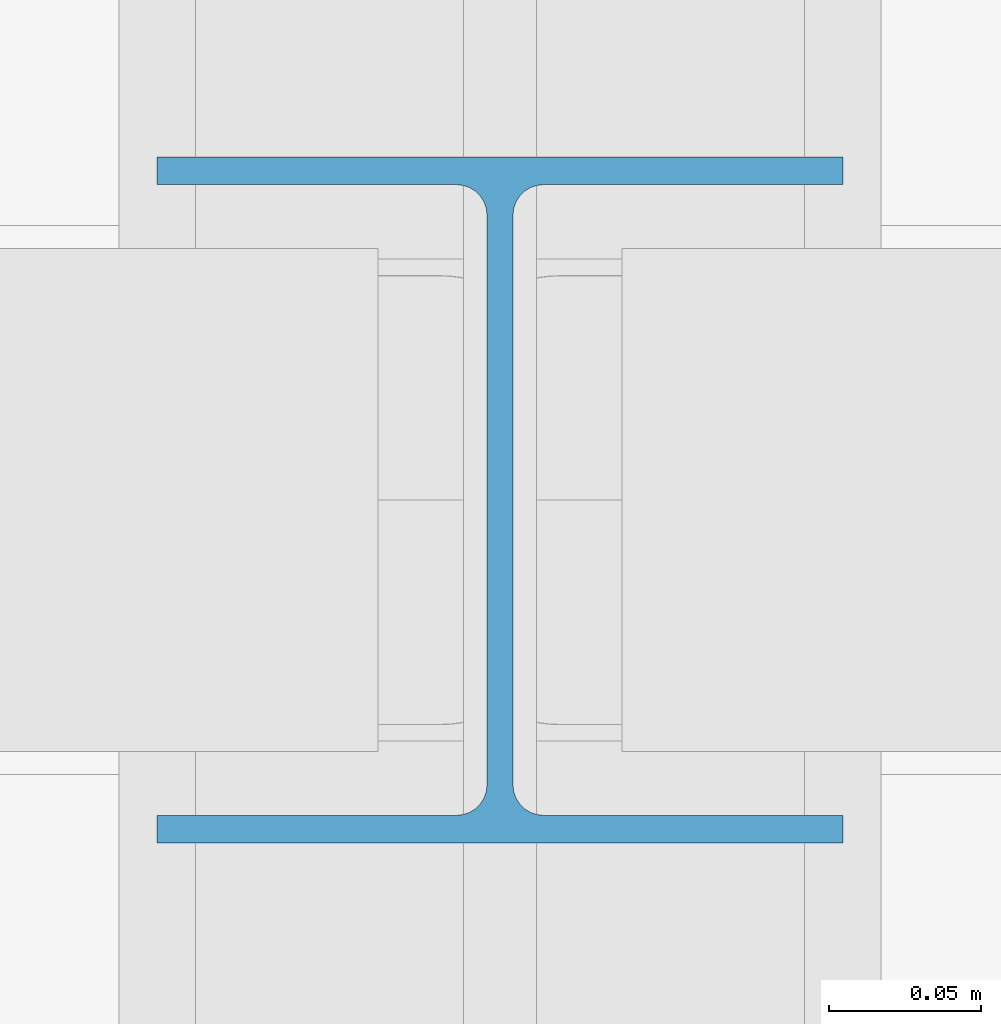
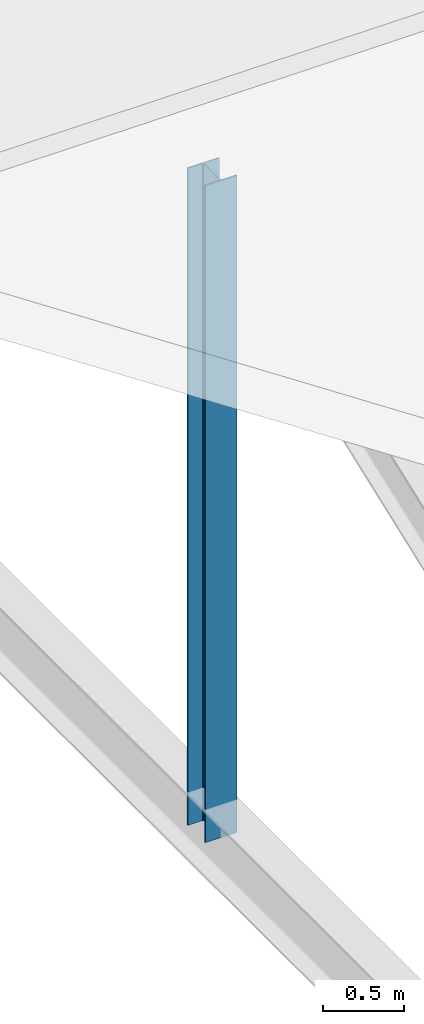
# One storey, part 34 of 163: 1 member.
"""IFC4 building model written with IfcOpenShell, lengths in metres."""

import ifcopenshell
import ifcopenshell.guid

model = None  # the IFC model being written
_history = None  # IfcOwnerHistory: only IFC2X3 demands one
_inside = {}  # id of a spatial element -> (the spatial element, [elements in it])
_under = {}  # id of a project, library or spatial element -> (it, [spatial elements below it])
_declared = {}  # id of a project -> (the project, [libraries it declares])
_typed = {}  # id of a type object -> (the type object, [elements of that type])
_made_of = {}  # id of a material, layer set ... -> (it, [elements and type objects made of it])


def new_model(schema):
    """Start an empty IFC model of exactly this schema.

    Asked for "IFC4X3", IfcOpenShell would pick the latest addendum, in which some entities
    have other attributes; the version numbers below select the first issue.
    IFC2X3 requires an IfcOwnerHistory on every rooted entity: one is made here for all.
    """
    global model, _history
    if schema == "IFC4X3":
        model = ifcopenshell.file(schema_version=(4, 3, 0, 0))
    else:
        model = ifcopenshell.file(schema=schema)
    _inside.clear()
    _under.clear()
    _declared.clear()
    _typed.clear()
    _made_of.clear()
    _history = None
    if model.schema == "IFC2X3":
        org = make("IfcOrganization", Name="unknown")
        user = make(
            "IfcPersonAndOrganization",
            ThePerson=make("IfcPerson", FamilyName="unknown"),
            TheOrganization=org,
        )
        app = make(
            "IfcApplication",
            ApplicationDeveloper=org,
            Version="unknown",
            ApplicationFullName="unknown",
            ApplicationIdentifier="unknown",
        )
        _history = make(
            "IfcOwnerHistory",
            OwningUser=user,
            OwningApplication=app,
            ChangeAction="ADDED",
            CreationDate=0,
        )
    return model


def make(cls, **values):
    """One entity of the class cls with the attributes given. An attribute that is None is left unset."""
    return model.create_entity(
        cls, **{name: value for name, value in values.items() if value is not None}
    )


def rooted(cls, **values):
    """An entity with a GlobalId (a new one), such as an element, a storey or a relation."""
    return make(cls, GlobalId=ifcopenshell.guid.new(), OwnerHistory=_history, **values)


def si_unit(unit_type, name, prefix=None):
    """IfcSIUnit, for example si_unit("LENGTHUNIT", "METRE", prefix="MILLI")."""
    return make("IfcSIUnit", UnitType=unit_type, Prefix=prefix, Name=name)


def assignment(units):
    """IfcUnitAssignment: the units of a project."""
    return None if units is None else make("IfcUnitAssignment", Units=units)


def point(xyz):
    """IfcCartesianPoint."""
    return None if xyz is None else make("IfcCartesianPoint", Coordinates=xyz)


def direction(xyz):
    """IfcDirection."""
    return None if xyz is None else make("IfcDirection", DirectionRatios=xyz)


def frame(location, z_axis=None, x_axis=None):
    """IfcAxis2Placement3D, a coordinate frame: its origin and axes. An axis left out is left unset."""
    return make(
        "IfcAxis2Placement3D",
        Location=point(location),
        Axis=direction(z_axis),
        RefDirection=direction(x_axis),
    )


def frame_2d(location, x_axis=None):
    """IfcAxis2Placement2D, a coordinate frame in the plane: its origin and x axis."""
    return make(
        "IfcAxis2Placement2D", Location=point(location), RefDirection=direction(x_axis)
    )


def origin():
    """The frame at (0, 0, 0) with its axes left unset."""
    return frame((0.0, 0.0, 0.0))


def origin_2d():
    """The frame at (0, 0) in the plane with its x axis left unset."""
    return frame_2d((0.0, 0.0))


def place(relative_to, where):
    """IfcLocalPlacement: puts the frame where relative to a parent placement (None: the world)."""
    return make(
        "IfcLocalPlacement", PlacementRelTo=relative_to, RelativePlacement=where
    )


def context(
    kind, dimensions, precision=None, world=None, true_north=None, identifier=None
):
    """IfcGeometricRepresentationContext, for example the 3D "Model" context."""
    return make(
        "IfcGeometricRepresentationContext",
        ContextIdentifier=identifier,
        ContextType=kind,
        CoordinateSpaceDimension=dimensions,
        Precision=precision,
        WorldCoordinateSystem=world,
        TrueNorth=true_north,
    )


def subcontext(parent, identifier, kind, view, scale=None):
    """IfcGeometricRepresentationSubContext, for example "Body" below "Model"."""
    return make(
        "IfcGeometricRepresentationSubContext",
        ContextIdentifier=identifier,
        ContextType=kind,
        ParentContext=parent,
        TargetScale=scale,
        TargetView=view,
    )


def project(units=None, contexts=None):
    """IfcProject with its units and contexts."""
    return rooted(
        "IfcProject",
        Name="project",
        RepresentationContexts=contexts,
        UnitsInContext=assignment(units),
    )


def spatial(cls, under=None, at=None, **own):
    """A site, building, storey or space (cls), placed at a placement, below another one or the project."""
    s = rooted(cls, ObjectPlacement=at, **own)
    if under is not None:
        _under.setdefault(under.id(), (under, []))[1].append(s)
    return s


def profile(cls, at=None, kind="AREA", **sizes):
    """A parametric profile (cls). Its sizes go by their IFC names, for example OverallWidth=200.0."""
    return make(cls, ProfileType=kind, Position=at, **sizes)


def i_section(**sizes):
    """IfcIShapeProfileDef."""
    return profile("IfcIShapeProfileDef", **sizes)


def extrude(swept, where, along, depth):
    """IfcExtrudedAreaSolid: the profile swept, set in the frame where, extruded along a direction by depth."""
    return make(
        "IfcExtrudedAreaSolid",
        SweptArea=swept,
        Position=where,
        ExtrudedDirection=direction(along),
        Depth=depth,
    )


def shape(context_of_items, identifier, shape_type, items):
    """IfcShapeRepresentation: the items that make up one representation, for example the "Body"."""
    return make(
        "IfcShapeRepresentation",
        ContextOfItems=context_of_items,
        RepresentationIdentifier=identifier,
        RepresentationType=shape_type,
        Items=items,
    )


def material(Name=None, Category=None):
    """IfcMaterial."""
    return make("IfcMaterial", Name=Name, Category=Category)


def material_profile(
    of_material, cross_section, Name=None, Category=None, Priority=None
):
    """IfcMaterialProfile: a cross section and its material."""
    return make(
        "IfcMaterialProfile",
        Name=Name,
        Material=of_material,
        Profile=cross_section,
        Priority=Priority,
        Category=Category,
    )


def profile_set(profiles, Name=None, composite=None):
    """IfcMaterialProfileSet."""
    return make(
        "IfcMaterialProfileSet",
        Name=Name,
        MaterialProfiles=profiles,
        CompositeProfile=composite,
    )


def made_of(thing, what):
    """Note that an element or type object is made of a material, layer set ...; save() writes the relation."""
    if what is not None:
        _made_of.setdefault(what.id(), (what, []))[1].append(thing)
    return thing


def type_object(cls, material=None, **own):
    """A type object (cls), such as IfcWallType, which elements share."""
    return made_of(rooted(cls, **own), material)


def element(
    cls,
    number,
    at=None,
    inside=None,
    cuts=None,
    type_object=None,
    material=None,
    context=None,
    identifier="Body",
    shape_type=None,
    held_by="IfcProductDefinitionShape",
    body=None,
    shapes=None,
    **own,
):
    """One element of the class cls, such as IfcWall. Its Tag is "e" and its number.

    at: its placement. inside: the storey or other place that contains it. cuts: it is an
    opening in that element (IfcRelVoidsElement). A single representation is given by context,
    identifier, shape_type and body (its items); several are given by shapes. held_by: the class
    of the entity that holds the representations. save() writes the other relations.
    """
    e = rooted(cls, Tag="e%d" % number, ObjectPlacement=at, **own)
    if body is not None:
        shapes = [shape(context, identifier, shape_type, body)]
    if shapes is not None:
        e.Representation = make(held_by, Representations=shapes)
    if inside is not None:
        _inside.setdefault(inside.id(), (inside, []))[1].append(e)
    if cuts is not None:
        rooted(
            "IfcRelVoidsElement", RelatingBuildingElement=cuts, RelatedOpeningElement=e
        )
    if type_object is not None:
        _typed.setdefault(type_object.id(), (type_object, []))[1].append(e)
    return made_of(e, material)


def aggregate(whole, parts):
    """IfcRelAggregates: a whole, such as a stair, and the parts it consists of."""
    return rooted("IfcRelAggregates", RelatingObject=whole, RelatedObjects=parts)


def save(model, path):
    """Write the relations noted so far, then the file.

    IfcRelAggregates (storeys below a building ...), IfcRelContainedInSpatialStructure (elements
    in a storey), IfcRelDefinesByType, IfcRelAssociatesMaterial and IfcRelDeclares: one each for
    every whole, place, type object, material and project.
    """
    for whole, parts in _under.values():
        aggregate(whole, parts)
    for where, things in _inside.values():
        rooted(
            "IfcRelContainedInSpatialStructure",
            RelatedElements=things,
            RelatingStructure=where,
        )
    for kind, things in _typed.values():
        rooted("IfcRelDefinesByType", RelatedObjects=things, RelatingType=kind)
    for what, things in _made_of.values():
        rooted("IfcRelAssociatesMaterial", RelatedObjects=things, RelatingMaterial=what)
    for by, libraries in _declared.values():
        rooted("IfcRelDeclares", RelatingContext=by, RelatedDefinitions=libraries)
    model.write(path)


model = new_model("IFC4")

# Units and contexts
model_context = context("Model", 3, precision=1e-05, world=origin(), true_north=direction((0.0, 1.0)))
body_context = subcontext(model_context, "Body", "Model", "MODEL_VIEW")
ifc_project = project(units=[si_unit("LENGTHUNIT", "METRE"), si_unit("AREAUNIT", "SQUARE_METRE"), si_unit("VOLUMEUNIT", "CUBIC_METRE"), si_unit("PLANEANGLEUNIT", "RADIAN"), si_unit("MASSUNIT", "GRAM", prefix="KILO")], contexts=[model_context])

# Site, building, storey
site_placement = place(None, origin())
site = spatial("IfcSite", under=ifc_project, at=site_placement, CompositionType="ELEMENT")
building_placement = place(site_placement, origin())
building = spatial("IfcBuilding", under=site, at=building_placement, Name="Tharagai Park Tramway Depot", CompositionType="ELEMENT")
storey_placement = place(building_placement, frame((0.0, 0.0, 8.39990234375)))
storey = spatial("IfcBuildingStorey", under=building, at=storey_placement, Name="L02", CompositionType="ELEMENT", Elevation=8.39990234375)

# Member
ifc_material = material(Name="Steel E350", Category="steel")
ifc_material_profile = material_profile(ifc_material, i_section(OverallWidth=0.22509765625, OverallDepth=0.22509765625, WebThickness=0.008544921875, FlangeThickness=0.009033203125, FilletRadius=0.010009765625, at=origin_2d()), Name="ISHB 225")
ifc_profile_set = profile_set([ifc_material_profile], Name="Steel E350")
member_type = type_object("IfcMemberType", Name="BR-02", PredefinedType="BRACE", material=ifc_profile_set)
member_placement = place(storey_placement, frame((27.0, 76.5, -0.5), z_axis=(0.0, 0.0, 1.0), x_axis=(1.0, 0.0, 0.0)))
element("IfcMember", 1, at=member_placement, inside=storey, type_object=member_type, Name="V2B Gable King Strut BR-02", PredefinedType="BRACE", context=body_context, shape_type="SweptSolid", body=[
    extrude(i_section(OverallWidth=0.22509765625, OverallDepth=0.22509765625, WebThickness=0.008544921875, FlangeThickness=0.009033203125, FilletRadius=0.010009765625, at=origin_2d()), origin(), (0.0, 0.0, 1.0), 4.946044921875),
])

save(model, "model.ifc")
